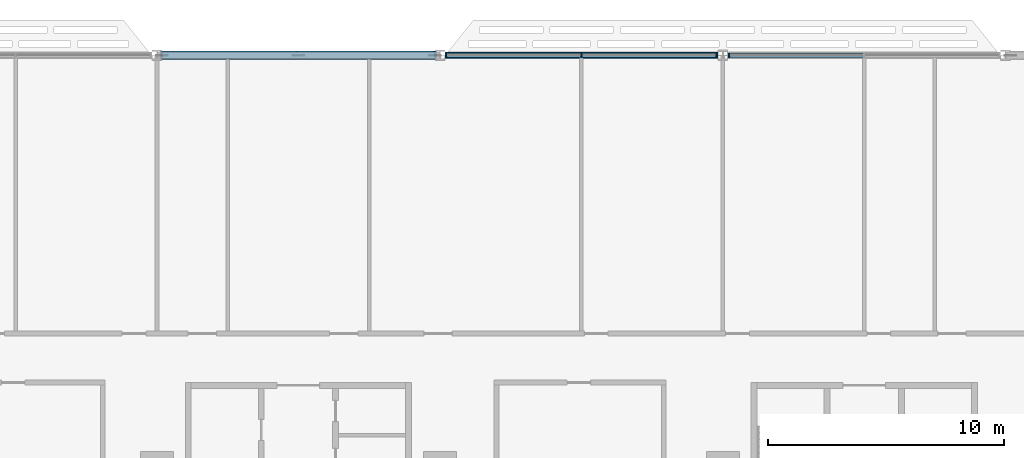
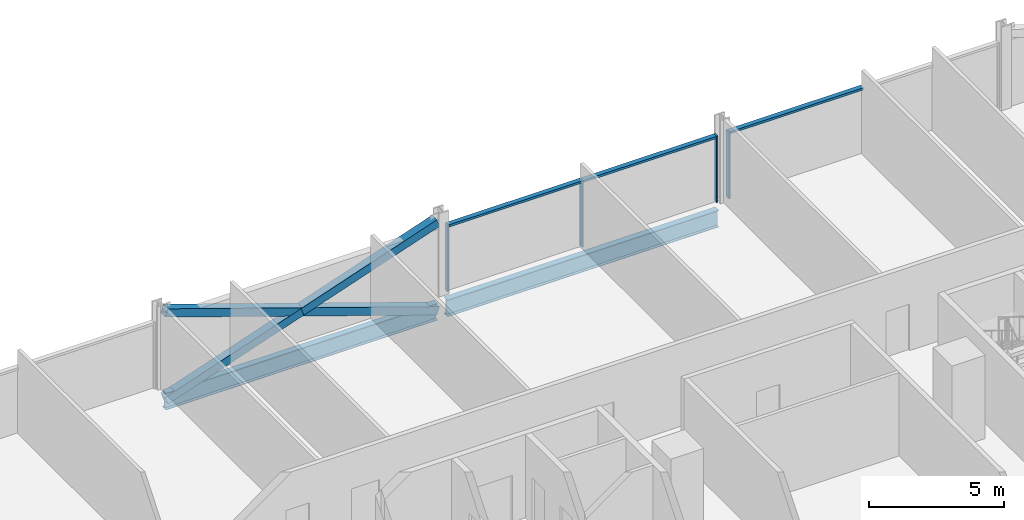
# One storey, part 7 of 29: 10 members, 2 beams, 2 elements without a shape of their own.
"""IFC4 building model written with IfcOpenShell, lengths in metres."""

from ifc_helpers import new_model, si_unit, direction, frame, origin, origin_2d, place, context, subcontext, project, spatial, rectangle, hollow_rectangle, i_section, extrude, material, material_profile, profile_set, type_object, element, aggregate, save


model = new_model("IFC4")

# Units and contexts
model_context = context("Model", 3, precision=1e-05, world=origin(), true_north=direction((0.0, 1.0)))
body_context = subcontext(model_context, "Body", "Model", "MODEL_VIEW")
ifc_project = project(units=[si_unit("LENGTHUNIT", "METRE"), si_unit("AREAUNIT", "SQUARE_METRE"), si_unit("VOLUMEUNIT", "CUBIC_METRE"), si_unit("PLANEANGLEUNIT", "RADIAN"), si_unit("MASSUNIT", "GRAM", prefix="KILO")], contexts=[model_context])

# Site, building, storey
site_placement = place(None, origin())
site = spatial("IfcSite", under=ifc_project, at=site_placement, CompositionType="ELEMENT")
building_placement = place(site_placement, origin())
building = spatial("IfcBuilding", under=site, at=building_placement, Name="Mahtab Terrace Research Tower", CompositionType="ELEMENT")
storey_placement = place(building_placement, frame((0.0, 0.0, 105.300048828125)))
storey = spatial("IfcBuildingStorey", under=building, at=storey_placement, Name="L24", CompositionType="ELEMENT", Elevation=105.300048828125)

# Members
ifc_material_1 = material(Name="Steel ASTM A500 Gr C", Category="steel")
ifc_material_profile_1 = material_profile(ifc_material_1, hollow_rectangle(XDim=0.355712890625, YDim=0.355712890625, WallThickness=0.01904296875, at=origin_2d()), Name="HSS14X14X3/4")
ifc_profile_set_1 = profile_set([ifc_material_profile_1], Name="Steel ASTM A500 Gr C")
member_type_1 = type_object("IfcMemberType", Name="HSS 14x14x3/4 brace XB141434", PredefinedType="BRACE", material=ifc_profile_set_1)
member_1_placement = place(storey_placement, frame((5.79052734375, 29.0, -0.64697265625), z_axis=(-0.946292853795, 0.0, 0.323310740397), x_axis=(0.0, -1.0, 0.0)))
element("IfcMember", 1, at=member_1_placement, inside=storey, type_object=member_type_1, Name="Exoskeleton brace L24 05 a", PredefinedType="BRACE", context=body_context, shape_type="SweptSolid", body=[
    extrude(hollow_rectangle(XDim=0.355712890625, YDim=0.355712890625, WallThickness=0.01904296875, at=origin_2d()), origin(), (0.0, 0.0, 1.0), 12.23828125),
])
for number, where, z_axis, x_axis, name in (
    (2, (-5.79052734375, 29.0, -0.64697265625), (0.946286750388, 0.0, 0.323328603809), (0.0, 1.0, 0.0), "Exoskeleton brace L24 05 b1"),
    (3, (0.0, 29.0, 1.33154296875), (0.946298956945, 0.0, 0.323292876639), (0.0, 1.0, 0.0), "Exoskeleton brace L24 05 b2"),
):
    element("IfcMember", number, at=place(storey_placement, frame(where, z_axis=z_axis, x_axis=x_axis)), inside=storey, type_object=member_type_1, Name=name, PredefinedType="BRACE", context=body_context, shape_type="SweptSolid", body=[
        extrude(hollow_rectangle(XDim=0.355712890625, YDim=0.355712890625, WallThickness=0.01904296875, at=origin_2d()), origin(), (0.0, 0.0, 1.0), 6.119140625),
    ])

# Curtain wall, member
ifc_material_2 = material(Name="Laboratory ribbon curtain wall")
curtain_wall_type = type_object("IfcCurtainWallType", Name="Laboratory ribbon curtain wall", PredefinedType="NOTDEFINED", material=ifc_material_2)
curtain_wall_1_placement = place(storey_placement, origin())
curtain_wall_1 = element("IfcCurtainWall", 4, at=curtain_wall_1_placement, inside=storey, type_object=curtain_wall_type, Name="EN.L24.3.5", PredefinedType="NOTDEFINED")
ifc_material_3 = material(Name="Natural anodised aluminium", Category="aluminium")
ifc_material_profile_2 = material_profile(ifc_material_3, rectangle(XDim=0.199951171875, YDim=0.06494140625, at=origin_2d()), Name="MULLION 65x200")
ifc_profile_set_2 = profile_set([ifc_material_profile_2], Name="Natural anodised aluminium")
member_type_2 = type_object("IfcMemberType", Name="Laboratory ribbon curtain wall mullion", PredefinedType="MULLION", material=ifc_profile_set_2)
member_2_placement = place(storey_placement, frame((18.260498046875, 29.0, 0.0), z_axis=(0.0, 0.0, 1.0), x_axis=(0.0, -1.0, 0.0)))
member_2 = element("IfcMember", 5, at=member_2_placement, type_object=member_type_2, Name="CWL-3 mullion 3", PredefinedType="MULLION", context=body_context, shape_type="SweptSolid", body=[
    extrude(rectangle(XDim=0.199951171875, YDim=0.06494140625, at=origin_2d()), origin(), (0.0, 0.0, 1.0), 3.0029296875),
])

# Curtain wall, members
curtain_wall_2_placement = place(storey_placement, origin())
curtain_wall_2 = element("IfcCurtainWall", 6, at=curtain_wall_2_placement, inside=storey, type_object=curtain_wall_type, Name="EN.L24.3.6", PredefinedType="NOTDEFINED")
member_3_placement = place(storey_placement, frame((17.739501953125, 29.0, 0.0), z_axis=(0.0, 0.0, 1.0), x_axis=(0.0, -1.0, 0.0)))
member_3 = element("IfcMember", 7, at=member_3_placement, type_object=member_type_2, Name="CWL-3 mullion 1", PredefinedType="MULLION", context=body_context, shape_type="SweptSolid", body=[
    extrude(rectangle(XDim=0.199951171875, YDim=0.06494140625, at=origin_2d()), origin(), (0.0, 0.0, 1.0), 3.0029296875),
])
member_4_placement = place(storey_placement, frame((12.0, 29.0, 0.0), z_axis=(0.0, 0.0, 1.0), x_axis=(0.0, -1.0, 0.0)))
member_4 = element("IfcMember", 8, at=member_4_placement, type_object=member_type_2, Name="CWL-3 mullion 2", PredefinedType="MULLION", context=body_context, shape_type="SweptSolid", body=[
    extrude(rectangle(XDim=0.199951171875, YDim=0.06494140625, at=origin_2d()), origin(), (0.0, 0.0, 1.0), 3.0029296875),
])
member_5_placement = place(storey_placement, frame((6.260498046875, 29.0, 0.0), z_axis=(0.0, 0.0, 1.0), x_axis=(0.0, -1.0, 0.0)))
member_5 = element("IfcMember", 9, at=member_5_placement, type_object=member_type_2, Name="CWL-3 mullion 3", PredefinedType="MULLION", context=body_context, shape_type="SweptSolid", body=[
    extrude(rectangle(XDim=0.199951171875, YDim=0.06494140625, at=origin_2d()), origin(), (0.0, 0.0, 1.0), 3.0029296875),
])

# Member
ifc_material_profile_3 = material_profile(ifc_material_3, rectangle(XDim=0.199951171875, YDim=0.10009765625, at=origin_2d()), Name="TRANSOM 100x200")
ifc_profile_set_3 = profile_set([ifc_material_profile_3], Name="Natural anodised aluminium")
member_type_3 = type_object("IfcMemberType", Name="Laboratory ribbon curtain wall transom", PredefinedType="USERDEFINED", material=ifc_profile_set_3)
member_6_placement = place(storey_placement, frame((23.967529296875, 29.0, 2.953125), z_axis=(-1.0, 0.0, 0.0), x_axis=(0.0, -1.0, 0.0)))
member_6 = element("IfcMember", 10, at=member_6_placement, type_object=member_type_3, Name="CWL-3 transom 2", ObjectType="TRANSOM", PredefinedType="USERDEFINED", context=body_context, shape_type="SweptSolid", body=[
    extrude(rectangle(XDim=0.199951171875, YDim=0.10009765625, at=origin_2d()), origin(), (0.0, 0.0, 1.0), 5.674560546875),
])

aggregate(curtain_wall_1, [member_2, member_6])

member_7_placement = place(storey_placement, frame((17.70703125, 29.0, 2.953125), z_axis=(-1.0, 0.0, 0.0), x_axis=(0.0, -1.0, 0.0)))
member_7 = element("IfcMember", 11, at=member_7_placement, type_object=member_type_3, Name="CWL-3 transom 1", ObjectType="TRANSOM", PredefinedType="USERDEFINED", context=body_context, shape_type="SweptSolid", body=[
    extrude(rectangle(XDim=0.199951171875, YDim=0.10009765625, at=origin_2d()), origin(), (0.0, 0.0, 1.0), 5.674560546875),
])

member_8_placement = place(storey_placement, frame((11.967529296875, 29.0, 2.953125), z_axis=(-1.0, 0.0, 0.0), x_axis=(0.0, -1.0, 0.0)))
member_8 = element("IfcMember", 12, at=member_8_placement, type_object=member_type_3, Name="CWL-3 transom 2", ObjectType="TRANSOM", PredefinedType="USERDEFINED", context=body_context, shape_type="SweptSolid", body=[
    extrude(rectangle(XDim=0.199951171875, YDim=0.10009765625, at=origin_2d()), origin(), (0.0, 0.0, 1.0), 5.674560546875),
])

aggregate(curtain_wall_2, [member_3, member_4, member_5, member_7, member_8])

# Beams
ifc_material_4 = material(Name="Steel ASTM A992 Gr 50", Category="steel")
ifc_material_profile_4 = material_profile(ifc_material_4, i_section(OverallWidth=0.2666015625, OverallDepth=0.7568359375, WebThickness=0.013916015625, FlangeThickness=0.019287109375, at=origin_2d()), Name="W30X108")
ifc_profile_set_4 = profile_set([ifc_material_profile_4], Name="Steel ASTM A992 Gr 50")
beam_type = type_object("IfcBeamType", Name="W30x108 beam BS30108", PredefinedType="BEAM", material=ifc_profile_set_4)
for number, where, z_axis, x_axis, name in (
    (13, (17.79052734375, 29.0, -0.718505859375), (-1.0, 0.0, 0.0), (0.0, -1.0, 0.0), "Spandrel beam L24 04"),
    (14, (5.79052734375, 29.0, -0.718505859375), (-1.0, 0.0, 0.0), (0.0, -1.0, 0.0), "Spandrel beam L24 05"),
):
    element("IfcBeam", number, at=place(storey_placement, frame(where, z_axis=z_axis, x_axis=x_axis)), inside=storey, type_object=beam_type, Name=name, PredefinedType="BEAM", context=body_context, shape_type="SweptSolid", body=[
        extrude(i_section(OverallWidth=0.2666015625, OverallDepth=0.7568359375, WebThickness=0.013916015625, FlangeThickness=0.019287109375, at=origin_2d()), origin(), (0.0, 0.0, 1.0), 11.5810546875),
    ])

save(model, "model.ifc")
